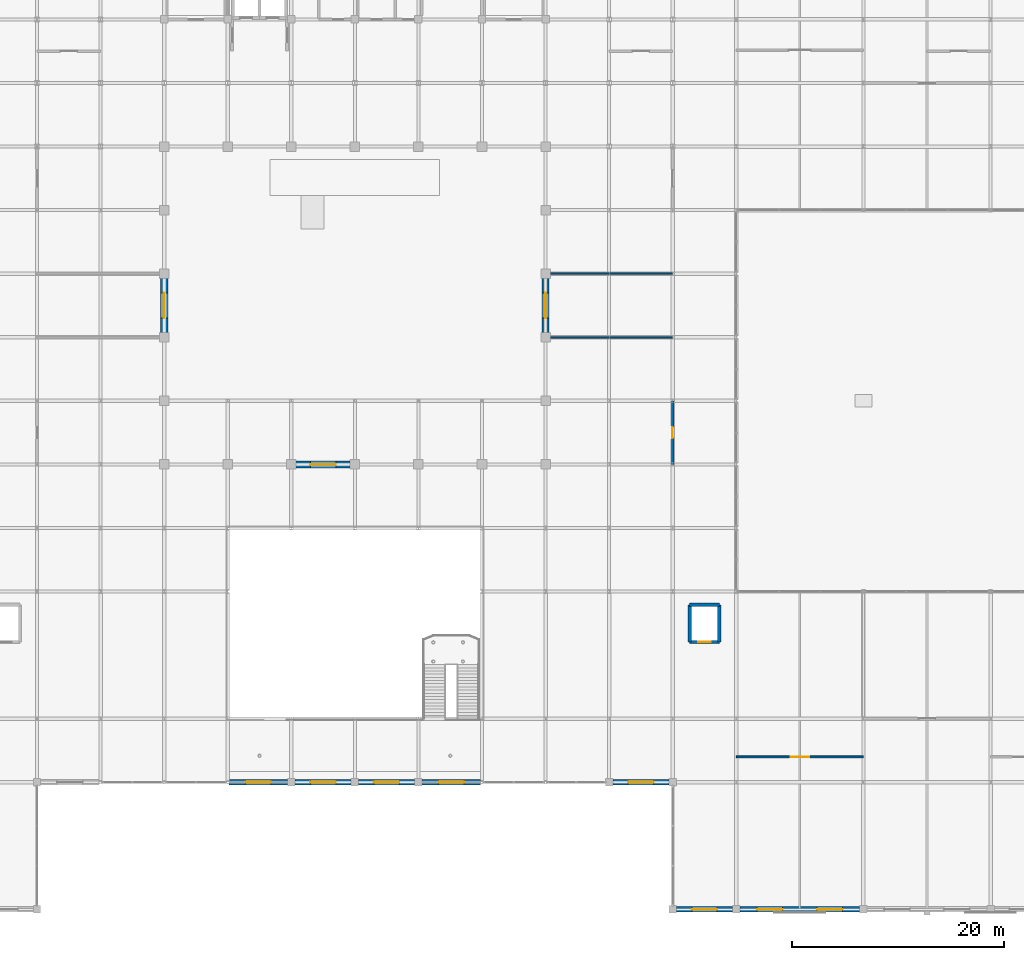
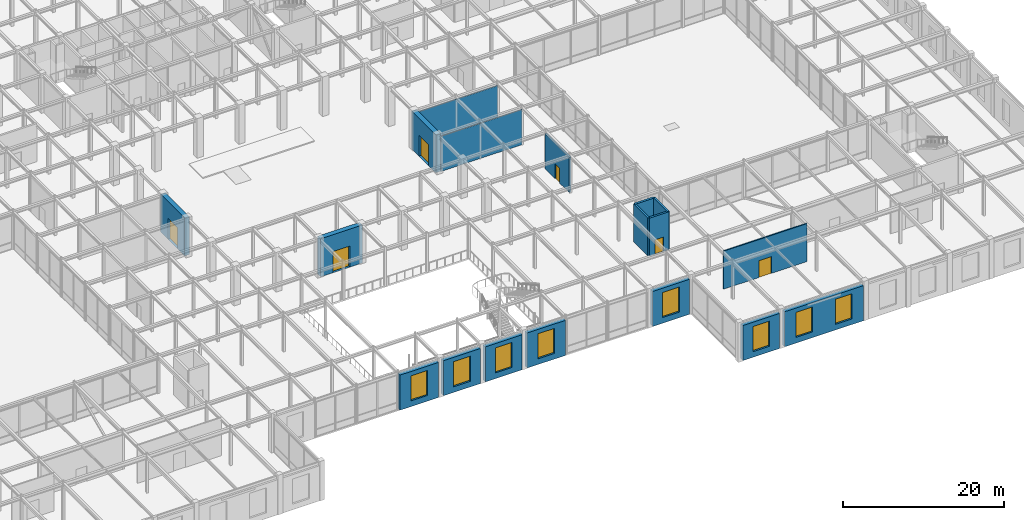
# One storey, part 99 of 108: 18 walls, 8 windows, 6 doors, 14 openings.
"""IFC4 building model written with IfcOpenShell, lengths in metres."""

from ifc_helpers import new_model, si_unit, direction, frame, frame_2d, origin, place, context, subcontext, project, spatial, rectangle, extrude, material, layer, layer_set, type_object, element, fill, save


model = new_model("IFC4")

# Units and contexts
model_context = context("Model", 3, precision=1e-05, world=origin(), true_north=direction((0.0, 1.0)))
body_context = subcontext(model_context, "Body", "Model", "MODEL_VIEW")
ifc_project = project(units=[si_unit("LENGTHUNIT", "METRE"), si_unit("AREAUNIT", "SQUARE_METRE"), si_unit("VOLUMEUNIT", "CUBIC_METRE"), si_unit("PLANEANGLEUNIT", "RADIAN"), si_unit("MASSUNIT", "GRAM", prefix="KILO")], contexts=[model_context])

# Site, building, storey
site_placement = place(None, origin())
site = spatial("IfcSite", under=ifc_project, at=site_placement, CompositionType="ELEMENT")
building_placement = place(site_placement, origin())
building = spatial("IfcBuilding", under=site, at=building_placement, Name="Zlatovratsky Civic Hall", CompositionType="ELEMENT")
storey_placement = place(building_placement, frame((0.0, 0.0, 6.0)))
storey = spatial("IfcBuildingStorey", under=building, at=storey_placement, Name="L02", CompositionType="ELEMENT", Elevation=6.0)

# Wall, opening, door
ifc_material_1 = material(Name="Acoustic ceramic blockwork", Category="masonry")
ifc_layer_1 = layer(ifc_material_1, 0.179931640625)
ifc_layer_set_1 = layer_set([ifc_layer_1], Name="Acoustic ceramic blockwork")
wall_type_1 = type_object("IfcWallType", Name="Wall_AcousticChamberPartition_180", PredefinedType="PARTITIONING", material=ifc_layer_set_1)
wall_1_placement = place(storey_placement, frame((120.0, 14.39990234375, 0.0), z_axis=(0.0, 0.0, 1.0), x_axis=(1.0, 0.0, 0.0)))
wall_1 = element("IfcWall", 1, at=wall_1_placement, inside=storey, type_object=wall_type_1, Name="WL-6122", PredefinedType="PARTITIONING", context=body_context, shape_type="SweptSolid", body=[
    extrude(rectangle(XDim=12.0, YDim=0.179931640625, at=frame_2d((6.0, 0.0))), origin(), (0.0, 0.0, 1.0), 5.760009765625),
])
opening_1_placement = place(wall_1_placement, frame((5.125, 0.0, 0.0)))
opening_1 = element("IfcOpeningElement", 2, at=opening_1_placement, cuts=wall_1, Name="Opening D-13", PredefinedType="OPENING", context=body_context, shape_type="SweptSolid", body=[
    extrude(rectangle(XDim=1.75, YDim=2.550048828125, at=frame_2d((0.875, 1.27490234375))), frame((0.0, 0.10498046875, 0.0), z_axis=(0.0, -1.0, 0.0), x_axis=(1.0, 0.0, 0.0)), (0.0, 0.0, 1.0), 0.209716796875),
])
ifc_material_2 = material(Name="Solid oak joinery in steel frame", Category="steel")
door_type_1 = type_object("IfcDoorType", Name="Door_CommitteeSuiteDouble_1750x2550", OperationType="DOUBLE_DOOR_SINGLE_SWING", PredefinedType="DOOR", material=ifc_material_2)
door_1_placement = place(opening_1_placement, origin())
door_1 = element("IfcDoor", 3, at=door_1_placement, inside=storey, type_object=door_type_1, Name="DR-5263", OperationType="DOUBLE_DOOR_SINGLE_SWING", OverallHeight=2.550048828125, OverallWidth=1.75, PredefinedType="DOOR", context=body_context, shape_type="SweptSolid", body=[
    extrude(rectangle(XDim=1.75, YDim=2.550048828125, at=frame_2d((0.875, 1.27490234375))), frame((0.0, 0.02490234375, 0.0), z_axis=(0.0, -1.0, 0.0), x_axis=(1.0, 0.0, 0.0)), (0.0, 0.0, 1.0), 0.050048828125),
])
fill(opening_1, door_1)

ifc_layer_2 = layer(ifc_material_1, 0.260009765625)
ifc_layer_set_2 = layer_set([ifc_layer_2], Name="Acoustic ceramic blockwork")
wall_type_2 = type_object("IfcWallType", Name="Wall_ArchiveCompartment_260", PredefinedType="PARTITIONING", material=ifc_layer_set_2)
wall_2_placement = place(storey_placement, frame((114.0, 42.0, 0.0), z_axis=(0.0, 0.0, 1.0), x_axis=(0.0, 1.0, 0.0)))
wall_2 = element("IfcWall", 4, at=wall_2_placement, inside=storey, type_object=wall_type_2, Name="WL-6139", PredefinedType="PARTITIONING", context=body_context, shape_type="SweptSolid", body=[
    extrude(rectangle(XDim=6.0, YDim=0.260009765625, at=frame_2d((3.0, 0.0))), origin(), (0.0, 0.0, 1.0), 5.320068359375),
])
opening_2_placement = place(wall_2_placement, frame((2.47509765625, 0.0, 0.0)))
opening_2 = element("IfcOpeningElement", 5, at=opening_2_placement, cuts=wall_2, Name="Opening D-24", PredefinedType="OPENING", context=body_context, shape_type="SweptSolid", body=[
    extrude(rectangle(XDim=1.050048828125, YDim=2.25, at=frame_2d((0.52490234375, 1.125))), frame((0.0, 0.14501953125, 0.0), z_axis=(0.0, -1.0, 0.0), x_axis=(1.0, 0.0, 0.0)), (0.0, 0.0, 1.0), 0.289794921875),
])
door_type_2 = type_object("IfcDoorType", Name="Door_DirectorateOffice_1050x2250", OperationType="NOTDEFINED", PredefinedType="DOOR", material=ifc_material_2)
door_2_placement = place(opening_2_placement, origin())
door_2 = element("IfcDoor", 6, at=door_2_placement, inside=storey, type_object=door_type_2, Name="DR-5280", OperationType="SINGLE_SWING_LEFT", OverallHeight=2.25, OverallWidth=1.050048828125, PredefinedType="DOOR", context=body_context, shape_type="SweptSolid", body=[
    extrude(rectangle(XDim=1.050048828125, YDim=2.25, at=frame_2d((0.52490234375, 1.125))), frame((0.0, 0.02490234375, 0.0), z_axis=(0.0, -1.0, 0.0), x_axis=(1.0, 0.0, 0.0)), (0.0, 0.0, 1.0), 0.050048828125),
])
fill(opening_2, door_2)

ifc_material_3 = material(Name="Concrete C35/45 (B40)", Category="concrete")
ifc_layer_3 = layer(ifc_material_3, 0.5400390625, Name="Structural backing")
ifc_material_4 = material(Name="Polished Karelian granite ashlar", Category="masonry")
ifc_layer_4 = layer(ifc_material_4, 0.139892578125, Name="Finish")
ifc_layer_set_3 = layer_set([ifc_layer_3, ifc_layer_4], Name="Concrete C35/45 (B40)")
wall_type_3 = type_object("IfcWallType", Name="Wall_ChamberDrum_680", PredefinedType="SOLIDWALL", material=ifc_layer_set_3)
wall_3_placement = place(storey_placement, frame((78.0, 42.0, 0.0), z_axis=(0.0, 0.0, 1.0), x_axis=(1.0, 0.0, 0.0)))
wall_3 = element("IfcWall", 7, at=wall_3_placement, inside=storey, type_object=wall_type_3, Name="WL-6117", PredefinedType="SOLIDWALL", context=body_context, shape_type="SweptSolid", body=[
    extrude(rectangle(XDim=6.0, YDim=0.679931640625, at=frame_2d((3.0, 0.0))), origin(), (0.0, 0.0, 1.0), 5.760009765625),
])
opening_3_placement = place(wall_3_placement, frame((1.800048828125, 0.0, 0.0)))
opening_3 = element("IfcOpeningElement", 8, at=opening_3_placement, cuts=wall_3, Name="Opening D-10", PredefinedType="OPENING", context=body_context, shape_type="SweptSolid", body=[
    extrude(rectangle(XDim=2.39990234375, YDim=3.199951171875, at=frame_2d((1.199951171875, 1.60009765625))), frame((0.0, 0.35498046875, 0.0), z_axis=(0.0, -1.0, 0.0), x_axis=(1.0, 0.0, 0.0)), (0.0, 0.0, 1.0), 0.709716796875),
])
door_type_3 = type_object("IfcDoorType", Name="Door_CouncilChamberGrand_2400x3200", OperationType="DOUBLE_DOOR_SINGLE_SWING", PredefinedType="DOOR", material=ifc_material_2)
door_3_placement = place(opening_3_placement, origin())
door_3 = element("IfcDoor", 9, at=door_3_placement, inside=storey, type_object=door_type_3, Name="DR-5258", OperationType="DOUBLE_DOOR_SINGLE_SWING", OverallHeight=3.199951171875, OverallWidth=2.39990234375, PredefinedType="DOOR", context=body_context, shape_type="SweptSolid", body=[
    extrude(rectangle(XDim=2.39990234375, YDim=3.199951171875, at=frame_2d((1.199951171875, 1.60009765625))), frame((0.0, 0.02490234375, 0.0), z_axis=(0.0, -1.0, 0.0), x_axis=(1.0, 0.0, 0.0)), (0.0, 0.0, 1.0), 0.050048828125),
])
fill(opening_3, door_3)

wall_4_placement = place(storey_placement, frame((66.0, 54.0, 0.0), z_axis=(0.0, 0.0, 1.0), x_axis=(0.0, 1.0, 0.0)))
wall_4 = element("IfcWall", 10, at=wall_4_placement, inside=storey, type_object=wall_type_3, Name="WL-6118", PredefinedType="SOLIDWALL", context=body_context, shape_type="SweptSolid", body=[
    extrude(rectangle(XDim=6.0, YDim=0.679931640625, at=frame_2d((3.0, 0.0))), origin(), (0.0, 0.0, 1.0), 5.760009765625),
])
opening_4_placement = place(wall_4_placement, frame((1.800048828125, 0.0, 0.0)))
opening_4 = element("IfcOpeningElement", 11, at=opening_4_placement, cuts=wall_4, Name="Opening D-10", PredefinedType="OPENING", context=body_context, shape_type="SweptSolid", body=[
    extrude(rectangle(XDim=2.39990234375, YDim=3.199951171875, at=frame_2d((1.199951171875, 1.60009765625))), frame((0.0, 0.35498046875, 0.0), z_axis=(0.0, -1.0, 0.0), x_axis=(1.0, 0.0, 0.0)), (0.0, 0.0, 1.0), 0.709716796875),
])
door_4_placement = place(opening_4_placement, origin())
door_4 = element("IfcDoor", 12, at=door_4_placement, inside=storey, type_object=door_type_3, Name="DR-5259", OperationType="DOUBLE_DOOR_SINGLE_SWING", OverallHeight=3.199951171875, OverallWidth=2.39990234375, PredefinedType="DOOR", context=body_context, shape_type="SweptSolid", body=[
    extrude(rectangle(XDim=2.39990234375, YDim=3.199951171875, at=frame_2d((1.199951171875, 1.60009765625))), frame((0.0, 0.02490234375, 0.0), z_axis=(0.0, -1.0, 0.0), x_axis=(1.0, 0.0, 0.0)), (0.0, 0.0, 1.0), 0.050048828125),
])
fill(opening_4, door_4)

wall_5_placement = place(storey_placement, frame((102.0, 54.0, 0.0), z_axis=(0.0, 0.0, 1.0), x_axis=(0.0, 1.0, 0.0)))
wall_5 = element("IfcWall", 13, at=wall_5_placement, inside=storey, type_object=wall_type_3, Name="WL-6119", PredefinedType="SOLIDWALL", context=body_context, shape_type="SweptSolid", body=[
    extrude(rectangle(XDim=6.0, YDim=0.679931640625, at=frame_2d((3.0, 0.0))), origin(), (0.0, 0.0, 1.0), 5.760009765625),
])
opening_5_placement = place(wall_5_placement, frame((1.800048828125, 0.0, 0.0)))
opening_5 = element("IfcOpeningElement", 14, at=opening_5_placement, cuts=wall_5, Name="Opening D-10", PredefinedType="OPENING", context=body_context, shape_type="SweptSolid", body=[
    extrude(rectangle(XDim=2.39990234375, YDim=3.199951171875, at=frame_2d((1.199951171875, 1.60009765625))), frame((0.0, 0.35498046875, 0.0), z_axis=(0.0, -1.0, 0.0), x_axis=(1.0, 0.0, 0.0)), (0.0, 0.0, 1.0), 0.709716796875),
])
door_5_placement = place(opening_5_placement, origin())
door_5 = element("IfcDoor", 15, at=door_5_placement, inside=storey, type_object=door_type_3, Name="DR-5260", OperationType="DOUBLE_DOOR_SINGLE_SWING", OverallHeight=3.199951171875, OverallWidth=2.39990234375, PredefinedType="DOOR", context=body_context, shape_type="SweptSolid", body=[
    extrude(rectangle(XDim=2.39990234375, YDim=3.199951171875, at=frame_2d((1.199951171875, 1.60009765625))), frame((0.0, 0.02490234375, 0.0), z_axis=(0.0, -1.0, 0.0), x_axis=(1.0, 0.0, 0.0)), (0.0, 0.0, 1.0), 0.050048828125),
])
fill(opening_5, door_5)

# Walls
ifc_material_5 = material(Name="Fire-rated gypsum board framing", Category="gypsum")
ifc_layer_5 = layer(ifc_material_5, 0.139892578125)
ifc_layer_set_4 = layer_set([ifc_layer_5], Name="Fire-rated gypsum board framing")
wall_type_4 = type_object("IfcWallType", Name="Wall_OfficePartition_140", PredefinedType="PARTITIONING", material=ifc_layer_set_4)
for number, where, z_axis, x_axis, name in (
    (16, (102.340087890625, 54.0, 0.0), (0.0, 0.0, 1.0), (1.0, 0.0, 0.0), "WL-6149"),
    (17, (102.340087890625, 60.0, 0.0), (0.0, 0.0, 1.0), (1.0, 0.0, 0.0), "WL-6150"),
):
    element("IfcWall", number, at=place(storey_placement, frame(where, z_axis=z_axis, x_axis=x_axis)), inside=storey, type_object=wall_type_4, Name=name, PredefinedType="PARTITIONING", context=body_context, shape_type="SweptSolid", body=[
        extrude(rectangle(XDim=11.659912109375, YDim=0.139892578125, at=frame_2d((5.830078125, 0.0))), origin(), (0.0, 0.0, 1.0), 5.320068359375),
    ])

# Wall, opening, window
ifc_layer_6 = layer(ifc_material_1, 0.39990234375, Name="Backing")
ifc_layer_7 = layer(ifc_material_4, 0.139892578125, Name="Finish")
ifc_layer_set_5 = layer_set([ifc_layer_6, ifc_layer_7], Name="Acoustic ceramic blockwork")
wall_type_5 = type_object("IfcWallType", Name="Wall_PodiumGraniteArcade_540", PredefinedType="SOLIDWALL", material=ifc_layer_set_5)
wall_6_placement = place(storey_placement, frame((114.35009765625, 0.0, 0.0), z_axis=(0.0, 0.0, 1.0), x_axis=(1.0, 0.0, 0.0)))
wall_6 = element("IfcWall", 18, at=wall_6_placement, inside=storey, type_object=wall_type_5, Name="WL-0173", PredefinedType="SOLIDWALL", context=body_context, shape_type="SweptSolid", body=[
    extrude(rectangle(XDim=5.2998046875, YDim=0.5400390625, at=frame_2d((2.64990234375, 0.0))), origin(), (0.0, 0.0, 1.0), 5.31005859375),
])
opening_6_placement = place(wall_6_placement, frame((1.449951171875, 0.0, 0.85009765625)))
opening_6 = element("IfcOpeningElement", 19, at=opening_6_placement, cuts=wall_6, Name="Opening WN-04", PredefinedType="OPENING", context=body_context, shape_type="SweptSolid", body=[
    extrude(rectangle(XDim=2.39990234375, YDim=3.800048828125, at=frame_2d((1.199951171875, 1.89990234375))), frame((0.0, 0.284912109375, 0.0), z_axis=(0.0, -1.0, 0.0), x_axis=(1.0, 0.0, 0.0)), (0.0, 0.0, 1.0), 0.56982421875),
])
ifc_material_6 = material(Name="Low-E laminated double glazing", Category="glass")
window_type = type_object("IfcWindowType", Name="Window_PianoNobileGrand_2400x3800", PartitioningType="SINGLE_PANEL", PredefinedType="WINDOW", material=ifc_material_6)
window_1_placement = place(opening_6_placement, origin())
window_1 = element("IfcWindow", 20, at=window_1_placement, inside=storey, type_object=window_type, Name="WN-0086", OverallHeight=3.800048828125, OverallWidth=2.39990234375, PartitioningType="SINGLE_PANEL", PredefinedType="WINDOW", context=body_context, shape_type="SweptSolid", body=[
    extrude(rectangle(XDim=2.39990234375, YDim=3.800048828125, at=frame_2d((1.199951171875, 1.89990234375))), frame((0.0, 0.030029296875, 0.0), z_axis=(0.0, -1.0, 0.0), x_axis=(1.0, 0.0, 0.0)), (0.0, 0.0, 1.0), 0.06005859375),
])
fill(opening_6, window_1)

# Wall, openings, windows
wall_7_placement = place(storey_placement, frame((120.35009765625, 0.0, 0.0), z_axis=(0.0, 0.0, 1.0), x_axis=(1.0, 0.0, 0.0)))
wall_7 = element("IfcWall", 21, at=wall_7_placement, inside=storey, type_object=wall_type_5, Name="WL-0174", PredefinedType="SOLIDWALL", context=body_context, shape_type="SweptSolid", body=[
    extrude(rectangle(XDim=11.2998046875, YDim=0.5400390625, at=frame_2d((5.64990234375, 0.0))), origin(), (0.0, 0.0, 1.0), 5.31005859375),
])
opening_7_placement = place(wall_7_placement, frame((1.625, 0.0, 0.85009765625)))
opening_7 = element("IfcOpeningElement", 22, at=opening_7_placement, cuts=wall_7, Name="Opening WN-04", PredefinedType="OPENING", context=body_context, shape_type="SweptSolid", body=[
    extrude(rectangle(XDim=2.39990234375, YDim=3.800048828125, at=frame_2d((1.199951171875, 1.89990234375))), frame((0.0, 0.284912109375, 0.0), z_axis=(0.0, -1.0, 0.0), x_axis=(1.0, 0.0, 0.0)), (0.0, 0.0, 1.0), 0.56982421875),
])
opening_8_placement = place(wall_7_placement, frame((7.27490234375, 0.0, 0.85009765625)))
opening_8 = element("IfcOpeningElement", 23, at=opening_8_placement, cuts=wall_7, Name="Opening WN-04", PredefinedType="OPENING", context=body_context, shape_type="SweptSolid", body=[
    extrude(rectangle(XDim=2.39990234375, YDim=3.800048828125, at=frame_2d((1.199951171875, 1.89990234375))), frame((0.0, 0.284912109375, 0.0), z_axis=(0.0, -1.0, 0.0), x_axis=(1.0, 0.0, 0.0)), (0.0, 0.0, 1.0), 0.56982421875),
])
window_2_placement = place(opening_7_placement, origin())
window_2 = element("IfcWindow", 24, at=window_2_placement, inside=storey, type_object=window_type, Name="WN-0087", OverallHeight=3.800048828125, OverallWidth=2.39990234375, PartitioningType="SINGLE_PANEL", PredefinedType="WINDOW", context=body_context, shape_type="SweptSolid", body=[
    extrude(rectangle(XDim=2.39990234375, YDim=3.800048828125, at=frame_2d((1.199951171875, 1.89990234375))), frame((0.0, 0.030029296875, 0.0), z_axis=(0.0, -1.0, 0.0), x_axis=(1.0, 0.0, 0.0)), (0.0, 0.0, 1.0), 0.06005859375),
])
fill(opening_7, window_2)
window_3_placement = place(opening_8_placement, origin())
window_3 = element("IfcWindow", 25, at=window_3_placement, inside=storey, type_object=window_type, Name="WN-0088", OverallHeight=3.800048828125, OverallWidth=2.39990234375, PartitioningType="SINGLE_PANEL", PredefinedType="WINDOW", context=body_context, shape_type="SweptSolid", body=[
    extrude(rectangle(XDim=2.39990234375, YDim=3.800048828125, at=frame_2d((1.199951171875, 1.89990234375))), frame((0.0, 0.030029296875, 0.0), z_axis=(0.0, -1.0, 0.0), x_axis=(1.0, 0.0, 0.0)), (0.0, 0.0, 1.0), 0.06005859375),
])
fill(opening_8, window_3)

# Wall, opening, window
wall_8_placement = place(storey_placement, frame((72.136474609375, 12.0, 0.0), z_axis=(0.0, 0.0, 1.0), x_axis=(1.0, 0.0, 0.0)))
wall_8 = element("IfcWall", 26, at=wall_8_placement, inside=storey, type_object=wall_type_5, Name="WL-0180", PredefinedType="SOLIDWALL", context=body_context, shape_type="SweptSolid", body=[
    extrude(rectangle(XDim=5.513427734375, YDim=0.5400390625, at=frame_2d((2.7568359375, 0.0))), origin(), (0.0, 0.0, 1.0), 5.31005859375),
])
opening_9_placement = place(wall_8_placement, frame((1.556884765625, 0.0, 0.85009765625)))
opening_9 = element("IfcOpeningElement", 27, at=opening_9_placement, cuts=wall_8, Name="Opening WN-04", PredefinedType="OPENING", context=body_context, shape_type="SweptSolid", body=[
    extrude(rectangle(XDim=2.39990234375, YDim=3.800048828125, at=frame_2d((1.199951171875, 1.89990234375))), frame((0.0, 0.284912109375, 0.0), z_axis=(0.0, -1.0, 0.0), x_axis=(1.0, 0.0, 0.0)), (0.0, 0.0, 1.0), 0.56982421875),
])
window_4_placement = place(opening_9_placement, origin())
window_4 = element("IfcWindow", 28, at=window_4_placement, inside=storey, type_object=window_type, Name="WN-0096", OverallHeight=3.800048828125, OverallWidth=2.39990234375, PartitioningType="SINGLE_PANEL", PredefinedType="WINDOW", context=body_context, shape_type="SweptSolid", body=[
    extrude(rectangle(XDim=2.39990234375, YDim=3.800048828125, at=frame_2d((1.199951171875, 1.89990234375))), frame((0.0, 0.030029296875, 0.0), z_axis=(0.0, -1.0, 0.0), x_axis=(1.0, 0.0, 0.0)), (0.0, 0.0, 1.0), 0.06005859375),
])
fill(opening_9, window_4)

wall_9_placement = place(storey_placement, frame((78.35009765625, 12.0, 0.0), z_axis=(0.0, 0.0, 1.0), x_axis=(1.0, 0.0, 0.0)))
wall_9 = element("IfcWall", 29, at=wall_9_placement, inside=storey, type_object=wall_type_5, Name="WL-0181", PredefinedType="SOLIDWALL", context=body_context, shape_type="SweptSolid", body=[
    extrude(rectangle(XDim=5.2998046875, YDim=0.5400390625, at=frame_2d((2.64990234375, 0.0))), origin(), (0.0, 0.0, 1.0), 5.31005859375),
])
opening_10_placement = place(wall_9_placement, frame((1.449951171875, 0.0, 0.85009765625)))
opening_10 = element("IfcOpeningElement", 30, at=opening_10_placement, cuts=wall_9, Name="Opening WN-04", PredefinedType="OPENING", context=body_context, shape_type="SweptSolid", body=[
    extrude(rectangle(XDim=2.39990234375, YDim=3.800048828125, at=frame_2d((1.199951171875, 1.89990234375))), frame((0.0, 0.284912109375, 0.0), z_axis=(0.0, -1.0, 0.0), x_axis=(1.0, 0.0, 0.0)), (0.0, 0.0, 1.0), 0.56982421875),
])
window_5_placement = place(opening_10_placement, origin())
window_5 = element("IfcWindow", 31, at=window_5_placement, inside=storey, type_object=window_type, Name="WN-0097", OverallHeight=3.800048828125, OverallWidth=2.39990234375, PartitioningType="SINGLE_PANEL", PredefinedType="WINDOW", context=body_context, shape_type="SweptSolid", body=[
    extrude(rectangle(XDim=2.39990234375, YDim=3.800048828125, at=frame_2d((1.199951171875, 1.89990234375))), frame((0.0, 0.030029296875, 0.0), z_axis=(0.0, -1.0, 0.0), x_axis=(1.0, 0.0, 0.0)), (0.0, 0.0, 1.0), 0.06005859375),
])
fill(opening_10, window_5)

wall_10_placement = place(storey_placement, frame((84.35009765625, 12.0, 0.0), z_axis=(0.0, 0.0, 1.0), x_axis=(1.0, 0.0, 0.0)))
wall_10 = element("IfcWall", 32, at=wall_10_placement, inside=storey, type_object=wall_type_5, Name="WL-0182", PredefinedType="SOLIDWALL", context=body_context, shape_type="SweptSolid", body=[
    extrude(rectangle(XDim=5.2998046875, YDim=0.5400390625, at=frame_2d((2.64990234375, 0.0))), origin(), (0.0, 0.0, 1.0), 5.31005859375),
])
opening_11_placement = place(wall_10_placement, frame((1.449951171875, 0.0, 0.85009765625)))
opening_11 = element("IfcOpeningElement", 33, at=opening_11_placement, cuts=wall_10, Name="Opening WN-04", PredefinedType="OPENING", context=body_context, shape_type="SweptSolid", body=[
    extrude(rectangle(XDim=2.39990234375, YDim=3.800048828125, at=frame_2d((1.199951171875, 1.89990234375))), frame((0.0, 0.284912109375, 0.0), z_axis=(0.0, -1.0, 0.0), x_axis=(1.0, 0.0, 0.0)), (0.0, 0.0, 1.0), 0.56982421875),
])
window_6_placement = place(opening_11_placement, origin())
window_6 = element("IfcWindow", 34, at=window_6_placement, inside=storey, type_object=window_type, Name="WN-0098", OverallHeight=3.800048828125, OverallWidth=2.39990234375, PartitioningType="SINGLE_PANEL", PredefinedType="WINDOW", context=body_context, shape_type="SweptSolid", body=[
    extrude(rectangle(XDim=2.39990234375, YDim=3.800048828125, at=frame_2d((1.199951171875, 1.89990234375))), frame((0.0, 0.030029296875, 0.0), z_axis=(0.0, -1.0, 0.0), x_axis=(1.0, 0.0, 0.0)), (0.0, 0.0, 1.0), 0.06005859375),
])
fill(opening_11, window_6)

wall_11_placement = place(storey_placement, frame((90.35009765625, 12.0, 0.0), z_axis=(0.0, 0.0, 1.0), x_axis=(1.0, 0.0, 0.0)))
wall_11 = element("IfcWall", 35, at=wall_11_placement, inside=storey, type_object=wall_type_5, Name="WL-0183", PredefinedType="SOLIDWALL", context=body_context, shape_type="SweptSolid", body=[
    extrude(rectangle(XDim=5.513427734375, YDim=0.5400390625, at=frame_2d((2.7568359375, 0.0))), origin(), (0.0, 0.0, 1.0), 5.31005859375),
])
opening_12_placement = place(wall_11_placement, frame((1.556884765625, 0.0, 0.85009765625)))
opening_12 = element("IfcOpeningElement", 36, at=opening_12_placement, cuts=wall_11, Name="Opening WN-04", PredefinedType="OPENING", context=body_context, shape_type="SweptSolid", body=[
    extrude(rectangle(XDim=2.39990234375, YDim=3.800048828125, at=frame_2d((1.199951171875, 1.89990234375))), frame((0.0, 0.284912109375, 0.0), z_axis=(0.0, -1.0, 0.0), x_axis=(1.0, 0.0, 0.0)), (0.0, 0.0, 1.0), 0.56982421875),
])
window_7_placement = place(opening_12_placement, origin())
window_7 = element("IfcWindow", 37, at=window_7_placement, inside=storey, type_object=window_type, Name="WN-0099", OverallHeight=3.800048828125, OverallWidth=2.39990234375, PartitioningType="SINGLE_PANEL", PredefinedType="WINDOW", context=body_context, shape_type="SweptSolid", body=[
    extrude(rectangle(XDim=2.39990234375, YDim=3.800048828125, at=frame_2d((1.199951171875, 1.89990234375))), frame((0.0, 0.030029296875, 0.0), z_axis=(0.0, -1.0, 0.0), x_axis=(1.0, 0.0, 0.0)), (0.0, 0.0, 1.0), 0.06005859375),
])
fill(opening_12, window_7)

wall_12_placement = place(storey_placement, frame((108.35009765625, 12.0, 0.0), z_axis=(0.0, 0.0, 1.0), x_axis=(1.0, 0.0, 0.0)))
wall_12 = element("IfcWall", 38, at=wall_12_placement, inside=storey, type_object=wall_type_5, Name="WL-0184", PredefinedType="SOLIDWALL", context=body_context, shape_type="SweptSolid", body=[
    extrude(rectangle(XDim=5.2998046875, YDim=0.5400390625, at=frame_2d((2.64990234375, 0.0))), origin(), (0.0, 0.0, 1.0), 5.31005859375),
])
opening_13_placement = place(wall_12_placement, frame((1.449951171875, 0.0, 0.85009765625)))
opening_13 = element("IfcOpeningElement", 39, at=opening_13_placement, cuts=wall_12, Name="Opening WN-04", PredefinedType="OPENING", context=body_context, shape_type="SweptSolid", body=[
    extrude(rectangle(XDim=2.39990234375, YDim=3.800048828125, at=frame_2d((1.199951171875, 1.89990234375))), frame((0.0, 0.284912109375, 0.0), z_axis=(0.0, -1.0, 0.0), x_axis=(1.0, 0.0, 0.0)), (0.0, 0.0, 1.0), 0.56982421875),
])
window_8_placement = place(opening_13_placement, origin())
window_8 = element("IfcWindow", 40, at=window_8_placement, inside=storey, type_object=window_type, Name="WN-0100", OverallHeight=3.800048828125, OverallWidth=2.39990234375, PartitioningType="SINGLE_PANEL", PredefinedType="WINDOW", context=body_context, shape_type="SweptSolid", body=[
    extrude(rectangle(XDim=2.39990234375, YDim=3.800048828125, at=frame_2d((1.199951171875, 1.89990234375))), frame((0.0, 0.030029296875, 0.0), z_axis=(0.0, -1.0, 0.0), x_axis=(1.0, 0.0, 0.0)), (0.0, 0.0, 1.0), 0.06005859375),
])
fill(opening_13, window_8)

# Wall, opening, door
ifc_layer_8 = layer(ifc_material_3, 0.300048828125)
ifc_layer_set_6 = layer_set([ifc_layer_8], Name="Concrete C35/45 (B40)")
wall_type_6 = type_object("IfcWallType", Name="Wall_StairAndLiftShaft_300", PredefinedType="SHEAR", material=ifc_layer_set_6)
wall_13_placement = place(storey_placement, frame((115.60009765625, 25.25, 0.0), z_axis=(0.0, 0.0, 1.0), x_axis=(1.0, 0.0, 0.0)))
wall_13 = element("IfcWall", 41, at=wall_13_placement, inside=storey, type_object=wall_type_6, Name="WL-5997", PredefinedType="SHEAR", context=body_context, shape_type="SweptSolid", body=[
    extrude(rectangle(XDim=2.7998046875, YDim=0.300048828125, at=frame_2d((1.39990234375, 0.0))), origin(), (0.0, 0.0, 1.0), 5.760009765625),
])
opening_14_placement = place(wall_13_placement, frame((0.800048828125, 0.0, 0.0)))
opening_14 = element("IfcOpeningElement", 42, at=opening_14_placement, cuts=wall_13, Name="Opening LD-04", PredefinedType="OPENING", context=body_context, shape_type="SweptSolid", body=[
    extrude(rectangle(XDim=1.199951171875, YDim=2.199951171875, at=frame_2d((0.60009765625, 1.10009765625))), frame((0.0, 0.1650390625, 0.0), z_axis=(0.0, -1.0, 0.0), x_axis=(1.0, 0.0, 0.0)), (0.0, 0.0, 1.0), 0.329833984375),
])
ifc_material_7 = material(Name="Brushed stainless steel AISI 304", Category="steel")
door_type_4 = type_object("IfcDoorType", Name="Door_LiftLandingShuttle_1200x2200", OperationType="DOUBLE_DOOR_SLIDING", PredefinedType="DOOR", material=ifc_material_7)
door_6_placement = place(opening_14_placement, origin())
door_6 = element("IfcDoor", 43, at=door_6_placement, inside=storey, type_object=door_type_4, Name="Lift landing door LD-5202", OperationType="DOUBLE_DOOR_SLIDING", OverallHeight=2.199951171875, OverallWidth=1.199951171875, PredefinedType="DOOR", context=body_context, shape_type="SweptSolid", body=[
    extrude(rectangle(XDim=1.199951171875, YDim=2.199951171875, at=frame_2d((0.60009765625, 1.10009765625))), frame((0.0, 0.02490234375, 0.0), z_axis=(0.0, -1.0, 0.0), x_axis=(1.0, 0.0, 0.0)), (0.0, 0.0, 1.0), 0.050048828125),
])
fill(opening_14, door_6)

# Walls
wall_14_placement = place(storey_placement, frame((115.60009765625, 28.75, 0.0), z_axis=(0.0, 0.0, 1.0), x_axis=(1.0, 0.0, 0.0)))
element("IfcWall", 44, at=wall_14_placement, inside=storey, type_object=wall_type_6, Name="WL-5998", PredefinedType="SHEAR", context=body_context, shape_type="SweptSolid", body=[
    extrude(rectangle(XDim=2.7998046875, YDim=0.300048828125, at=frame_2d((1.39990234375, 0.0))), origin(), (0.0, 0.0, 1.0), 5.760009765625),
])
for number, where, z_axis, x_axis, name in (
    (45, (115.60009765625, 25.25, 0.0), (0.0, 0.0, 1.0), (0.0, 1.0, 0.0), "WL-5999"),
    (46, (118.39990234375, 25.25, 0.0), (0.0, 0.0, 1.0), (0.0, 1.0, 0.0), "WL-6000"),
):
    element("IfcWall", number, at=place(storey_placement, frame(where, z_axis=z_axis, x_axis=x_axis)), inside=storey, type_object=wall_type_6, Name=name, PredefinedType="SHEAR", context=body_context, shape_type="SweptSolid", body=[
        extrude(rectangle(XDim=3.5, YDim=0.300048828125, at=frame_2d((1.75, 0.0))), origin(), (0.0, 0.0, 1.0), 5.760009765625),
    ])

save(model, "model.ifc")
